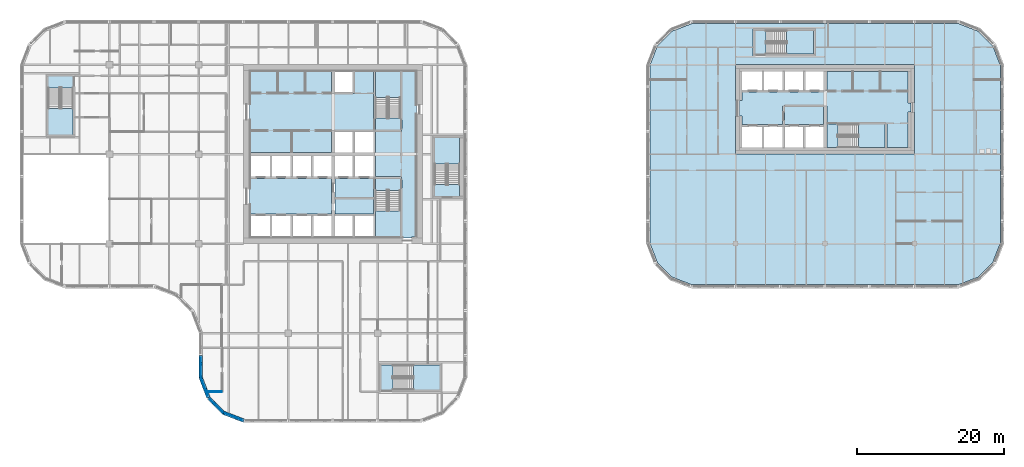
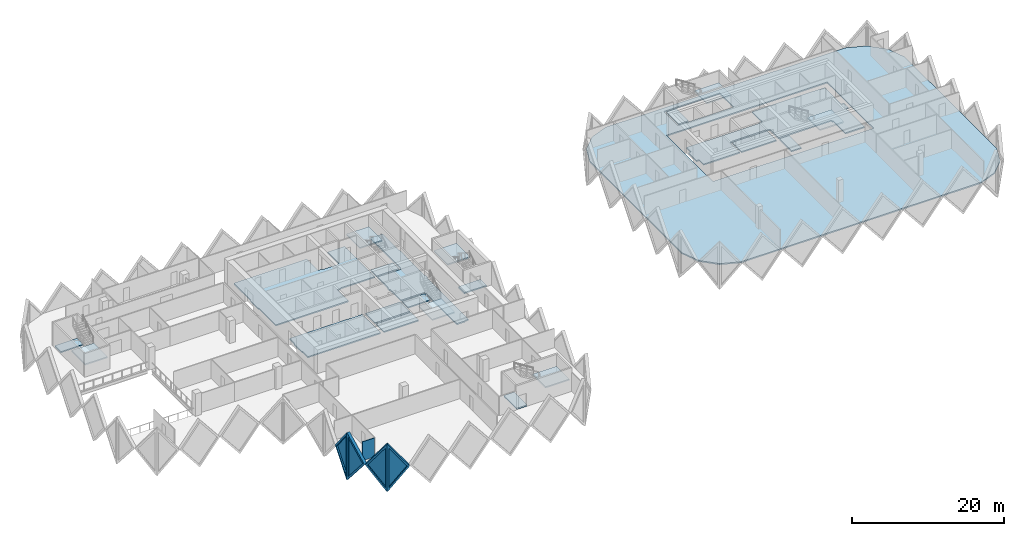
# One storey, part 3 of 19: 22 slabs, 5 walls, 4 plates, 4 openings, 7 elements without a shape of their own.
"""IFC4 building model written with IfcOpenShell, lengths in metres."""

from ifc_helpers import new_model, si_unit, direction, frame, frame_2d, origin, place, context, subcontext, project, spatial, polyline, rectangle, outline, extrude, faceted_brep, source, transform, mapped, material, layer, layer_set, type_object, element, fill, aggregate, save


model = new_model("IFC4")

# Units and contexts
model_context = context("Model", 3, precision=1e-05, world=origin(), true_north=direction((0.0, 1.0)))
body_context = subcontext(model_context, "Body", "Model", "MODEL_VIEW")
ifc_project = project(units=[si_unit("LENGTHUNIT", "METRE"), si_unit("AREAUNIT", "SQUARE_METRE"), si_unit("VOLUMEUNIT", "CUBIC_METRE"), si_unit("PLANEANGLEUNIT", "RADIAN"), si_unit("MASSUNIT", "GRAM", prefix="KILO")], contexts=[model_context])

# Site, building, storey
site_placement = place(None, origin())
site = spatial("IfcSite", under=ifc_project, at=site_placement, CompositionType="ELEMENT")
building_placement = place(site_placement, origin())
building = spatial("IfcBuilding", under=site, at=building_placement, Name="Tessera Gate Towers", CompositionType="ELEMENT")
storey_placement = place(building_placement, frame((0.0, 0.0, 80.0)))
storey = spatial("IfcBuildingStorey", under=building, at=storey_placement, Name="L19", CompositionType="ELEMENT", Elevation=80.0)

# Slabs
ifc_material_1 = material(Name="Concrete C35/45", Category="concrete")
ifc_layer_1 = layer(ifc_material_1, 0.199951171875)
ifc_layer_set_1 = layer_set([ifc_layer_1], Name="COMPOSITE FLOOR 200")
slab_type_1 = type_object("IfcSlabType", Name="COMPOSITE FLOOR 200", PredefinedType="FLOOR", material=ifc_layer_set_1)
slab_1_placement = place(storey_placement, frame((0.0, 0.0, -0.199951171875)))
element("IfcSlab", 1, at=slab_1_placement, inside=storey, type_object=slab_type_1, Name="T2-L19", PredefinedType="FLOOR", context=body_context, shape_type="SweptSolid", body=[
    extrude(outline(polyline([(85.89990234375, 24.4931640625), (86.926025390625, 21.8330078125), (88.93310546875, 19.826171875), (91.593017578125, 18.800048828125), (128.0068359375, 18.800048828125), (130.6669921875, 19.826171875), (132.673828125, 21.8330078125), (133.699951171875, 24.4931640625), (133.699951171875, 48.706787109375), (132.673828125, 51.366943359375), (130.6669921875, 53.373779296875), (128.0068359375, 54.39990234375), (91.593017578125, 54.39990234375), (88.93310546875, 53.373779296875), (86.926025390625, 51.366943359375), (85.89990234375, 48.706787109375), (85.89990234375, 24.4931640625)]), holes=[polyline([(97.60009765625, 36.60009765625), (97.60009765625, 48.800048828125), (122.0, 48.800048828125), (122.0, 36.60009765625), (97.60009765625, 36.60009765625)]), polyline([(100.0, 50.0), (100.0, 53.699951171875), (108.5, 53.699951171875), (108.5, 50.0), (100.0, 50.0)])]), origin(), (0.0, 0.0, 1.0), 0.199951171875),
])
ifc_material_2 = material(Name="Concrete C35/45", Category="concrete")
ifc_layer_2 = layer(ifc_material_2, 0.199951171875)
ifc_layer_set_2 = layer_set([ifc_layer_2], Name="CORE FLOOR SLAB 200")
slab_type_2 = type_object("IfcSlabType", Name="CORE FLOOR SLAB 200", PredefinedType="FLOOR", material=ifc_layer_set_2)
slab_2_placement = place(storey_placement, frame((0.0, 0.0, -0.199951171875)))
element("IfcSlab", 2, at=slab_2_placement, inside=storey, type_object=slab_type_2, Name="L19 core floor slab", PredefinedType="FLOOR", context=body_context, shape_type="SweptSolid", body=[
    extrude(outline(polyline([(31.39990234375, 47.89990234375), (31.39990234375, 43.39990234375), (31.300048828125, 43.39990234375), (31.300048828125, 41.300048828125), (31.39990234375, 41.300048828125), (31.39990234375, 36.85009765625), (42.449951171875, 36.85009765625), (42.449951171875, 39.800048828125), (42.949951171875, 39.800048828125), (42.949951171875, 39.925048828125), (48.22509765625, 39.925048828125), (48.22509765625, 47.89990234375), (45.64990234375, 47.89990234375), (45.64990234375, 44.89990234375), (45.39990234375, 44.89990234375), (45.39990234375, 44.77490234375), (42.949951171875, 44.77490234375), (42.949951171875, 44.89990234375), (42.449951171875, 44.89990234375), (42.449951171875, 47.89990234375), (31.39990234375, 47.89990234375)])), origin(), (0.0, 0.0, 1.0), 0.199951171875),
])
slab_3_placement = place(storey_placement, frame((0.0, 0.0, -0.199951171875)))
element("IfcSlab", 3, at=slab_3_placement, inside=storey, type_object=slab_type_2, Name="L19 core floor slab", PredefinedType="FLOOR", context=body_context, shape_type="SweptSolid", body=[
    extrude(outline(polyline([(52.199951171875, 25.199951171875), (53.39990234375, 25.199951171875), (53.39990234375, 25.300048828125), (54.0, 25.300048828125), (54.0, 36.320068359375), (54.10009765625, 36.320068359375), (54.10009765625, 36.8798828125), (54.0, 36.8798828125), (54.0, 42.10009765625), (54.10009765625, 42.10009765625), (54.10009765625, 43.300048828125), (54.0, 43.300048828125), (54.0, 47.89990234375), (52.125, 47.89990234375), (52.125, 39.925048828125), (52.0, 39.925048828125), (52.0, 39.675048828125), (48.47509765625, 39.675048828125), (48.47509765625, 36.85009765625), (48.35009765625, 36.85009765625), (48.35009765625, 36.35009765625), (48.47509765625, 36.35009765625), (48.47509765625, 33.52490234375), (52.0, 33.52490234375), (52.0, 33.27490234375), (52.125, 33.27490234375), (52.125, 25.300048828125), (52.199951171875, 25.300048828125), (52.199951171875, 25.199951171875)])), origin(), (0.0, 0.0, 1.0), 0.199951171875),
])
slab_4_placement = place(storey_placement, frame((0.0, 0.0, -0.199951171875)))
element("IfcSlab", 4, at=slab_4_placement, inside=storey, type_object=slab_type_2, Name="L19 core floor slab", PredefinedType="FLOOR", context=body_context, shape_type="SweptSolid", body=[
    extrude(outline(polyline([(31.39990234375, 29.800048828125), (31.39990234375, 28.425048828125), (42.449951171875, 28.425048828125), (42.449951171875, 33.27490234375), (31.39990234375, 33.27490234375), (31.39990234375, 31.89990234375), (31.300048828125, 31.89990234375), (31.300048828125, 29.800048828125), (31.39990234375, 29.800048828125)])), origin(), (0.0, 0.0, 1.0), 0.199951171875),
])
slab_5_placement = place(storey_placement, frame((0.0, 0.0, -0.199951171875)))
element("IfcSlab", 5, at=slab_5_placement, inside=storey, type_object=slab_type_2, Name="L19 core floor slab", PredefinedType="FLOOR", context=body_context, shape_type="SweptSolid", body=[
    extrude(outline(polyline([(42.949951171875, 33.27490234375), (42.949951171875, 30.72509765625), (48.22509765625, 30.72509765625), (48.22509765625, 33.27490234375), (42.949951171875, 33.27490234375)])), origin(), (0.0, 0.0, 1.0), 0.199951171875),
])
slab_6_placement = place(storey_placement, frame((0.0, 0.0, -0.199951171875)))
element("IfcSlab", 6, at=slab_6_placement, inside=storey, type_object=slab_type_2, Name="L19 core floor slab", PredefinedType="FLOOR", context=body_context, shape_type="SweptSolid", body=[
    extrude(outline(polyline([(42.949951171875, 30.47509765625), (42.949951171875, 28.425048828125), (48.22509765625, 28.425048828125), (48.22509765625, 30.47509765625), (42.949951171875, 30.47509765625)])), origin(), (0.0, 0.0, 1.0), 0.199951171875),
])
slab_7_placement = place(storey_placement, frame((0.0, 0.0, -0.199951171875)))
element("IfcSlab", 7, at=slab_7_placement, inside=storey, type_object=slab_type_2, Name="L19 core floor slab", PredefinedType="FLOOR", context=body_context, shape_type="SweptSolid", body=[
    extrude(outline(polyline([(51.875, 31.675048828125), (51.875, 33.27490234375), (48.47509765625, 33.27490234375), (48.47509765625, 31.675048828125), (51.875, 31.675048828125)])), origin(), (0.0, 0.0, 1.0), 0.199951171875),
])
slab_8_placement = place(storey_placement, frame((0.0, 0.0, -0.199951171875)))
element("IfcSlab", 8, at=slab_8_placement, inside=storey, type_object=slab_type_2, Name="L19 core floor slab", PredefinedType="FLOOR", context=body_context, shape_type="SweptSolid", body=[
    extrude(outline(polyline([(48.47509765625, 41.52490234375), (48.47509765625, 39.925048828125), (51.875, 39.925048828125), (51.875, 41.52490234375), (48.47509765625, 41.52490234375)])), origin(), (0.0, 0.0, 1.0), 0.199951171875),
])
slab_9_placement = place(storey_placement, frame((0.0, 0.0, -0.199951171875)))
element("IfcSlab", 9, at=slab_9_placement, inside=storey, type_object=slab_type_2, Name="L19 ST3 floor landing", PredefinedType="FLOOR", context=body_context, shape_type="SweptSolid", body=[
    extrude(outline(polyline([(3.85009765625, 47.25), (3.85009765625, 45.64990234375), (7.25, 45.64990234375), (7.25, 47.25), (3.85009765625, 47.25)])), origin(), (0.0, 0.0, 1.0), 0.199951171875),
])
slab_10_placement = place(storey_placement, frame((0.0, 0.0, -0.199951171875)))
element("IfcSlab", 10, at=slab_10_placement, inside=storey, type_object=slab_type_2, Name="L19 ST4 floor landing", PredefinedType="FLOOR", context=body_context, shape_type="SweptSolid", body=[
    extrude(outline(polyline([(49.25, 4.449951171875), (50.85009765625, 4.449951171875), (50.85009765625, 7.85009765625), (49.25, 7.85009765625), (49.25, 4.449951171875)])), origin(), (0.0, 0.0, 1.0), 0.199951171875),
])
slab_11_placement = place(storey_placement, frame((0.0, 0.0, -0.199951171875)))
element("IfcSlab", 11, at=slab_11_placement, inside=storey, type_object=slab_type_2, Name="L19 ST5 floor landing", PredefinedType="FLOOR", context=body_context, shape_type="SweptSolid", body=[
    extrude(outline(polyline([(59.949951171875, 30.85009765625), (59.949951171875, 32.449951171875), (56.550048828125, 32.449951171875), (56.550048828125, 30.85009765625), (59.949951171875, 30.85009765625)])), origin(), (0.0, 0.0, 1.0), 0.199951171875),
])
slab_12_placement = place(storey_placement, frame((0.0, 0.0, -0.199951171875)))
element("IfcSlab", 12, at=slab_12_placement, inside=storey, type_object=slab_type_2, Name="L19 core floor slab", PredefinedType="FLOOR", context=body_context, shape_type="SweptSolid", body=[
    extrude(outline(polyline([(109.550048828125, 45.199951171875), (109.550048828125, 45.074951171875), (98.5, 45.074951171875), (98.5, 43.89990234375), (98.10009765625, 43.89990234375), (98.10009765625, 41.800048828125), (98.5, 41.800048828125), (98.5, 40.625), (104.02490234375, 40.625), (104.02490234375, 43.199951171875), (104.27490234375, 43.199951171875), (104.27490234375, 43.324951171875), (109.550048828125, 43.324951171875), (109.550048828125, 43.199951171875), (110.050048828125, 43.199951171875), (110.050048828125, 40.949951171875), (118.10009765625, 40.949951171875), (118.10009765625, 40.699951171875), (118.22509765625, 40.699951171875), (118.22509765625, 37.5), (121.10009765625, 37.5), (121.10009765625, 42.35009765625), (121.5, 42.35009765625), (121.5, 43.550048828125), (121.10009765625, 43.550048828125), (121.10009765625, 47.89990234375), (110.050048828125, 47.89990234375), (110.050048828125, 45.199951171875), (109.550048828125, 45.199951171875)])), origin(), (0.0, 0.0, 1.0), 0.199951171875),
])
slab_13_placement = place(storey_placement, frame((0.0, 0.0, -0.199951171875)))
element("IfcSlab", 13, at=slab_13_placement, inside=storey, type_object=slab_type_2, Name="L19 core floor slab", PredefinedType="FLOOR", context=body_context, shape_type="SweptSolid", body=[
    extrude(outline(polyline([(109.550048828125, 43.074951171875), (104.27490234375, 43.074951171875), (104.27490234375, 40.625), (109.550048828125, 40.625), (109.550048828125, 43.074951171875)])), origin(), (0.0, 0.0, 1.0), 0.199951171875),
])
slab_14_placement = place(storey_placement, frame((0.0, 0.0, -0.199951171875)))
element("IfcSlab", 14, at=slab_14_placement, inside=storey, type_object=slab_type_2, Name="L19 core floor slab", PredefinedType="FLOOR", context=body_context, shape_type="SweptSolid", body=[
    extrude(outline(polyline([(111.550048828125, 37.5), (111.550048828125, 40.699951171875), (110.050048828125, 40.699951171875), (110.050048828125, 37.5), (111.550048828125, 37.5)])), origin(), (0.0, 0.0, 1.0), 0.199951171875),
])
slab_15_placement = place(storey_placement, frame((0.0, 0.0, -0.199951171875)))
element("IfcSlab", 15, at=slab_15_placement, inside=storey, type_object=slab_type_2, Name="L19 ST7 floor landing", PredefinedType="FLOOR", context=body_context, shape_type="SweptSolid", body=[
    extrude(outline(polyline([(100.25, 50.25), (101.75, 50.25), (101.75, 53.449951171875), (100.25, 53.449951171875), (100.25, 50.25)])), origin(), (0.0, 0.0, 1.0), 0.199951171875),
])

# Stair, slab
ifc_material_3 = material(Name="Concrete C40/50", Category="concrete")
stair_type_1 = type_object("IfcStairType", Name="EXIT STAIR ST1 1600", PredefinedType="HALF_TURN_STAIR", material=ifc_material_3)
stair_1_placement = place(storey_placement, origin())
stair_1 = element("IfcStair", 16, at=stair_1_placement, inside=storey, type_object=stair_type_1, Name="L19 Protected Exit Stair ST1", PredefinedType="HALF_TURN_STAIR")
ifc_material_4 = material(Name="Concrete C40/50", Category="concrete")
ifc_layer_3 = layer(ifc_material_4, 0.199951171875)
ifc_layer_set_3 = layer_set([ifc_layer_3], Name="EXIT STAIR LANDING 200")
slab_type_3 = type_object("IfcSlabType", Name="EXIT STAIR LANDING 200", PredefinedType="LANDING", material=ifc_layer_set_3)
slab_16_placement = place(storey_placement, frame((0.0, 0.0, 1.699951171875)))
slab_16 = element("IfcSlab", 17, at=slab_16_placement, type_object=slab_type_3, Name="ST1 landing 1", PredefinedType="LANDING", context=body_context, shape_type="SweptSolid", body=[
    extrude(outline(polyline([(48.47509765625, 28.875), (48.47509765625, 25.300048828125), (51.875, 25.300048828125), (51.875, 28.875), (48.47509765625, 28.875)])), origin(), (0.0, 0.0, 1.0), 0.199951171875),
])
aggregate(stair_1, [slab_16])

ifc_material_5 = material(Name="Concrete C40/50", Category="concrete")
stair_type_2 = type_object("IfcStairType", Name="EXIT STAIR ST2 1600", PredefinedType="HALF_TURN_STAIR", material=ifc_material_5)
stair_2_placement = place(storey_placement, origin())
stair_2 = element("IfcStair", 18, at=stair_2_placement, inside=storey, type_object=stair_type_2, Name="L19 Protected Exit Stair ST2", PredefinedType="HALF_TURN_STAIR")
slab_17_placement = place(storey_placement, frame((0.0, 0.0, 1.699951171875)))
slab_17 = element("IfcSlab", 19, at=slab_17_placement, type_object=slab_type_3, Name="ST2 landing 1", PredefinedType="LANDING", context=body_context, shape_type="SweptSolid", body=[
    extrude(outline(polyline([(51.875, 44.324951171875), (51.875, 47.89990234375), (48.47509765625, 47.89990234375), (48.47509765625, 44.324951171875), (51.875, 44.324951171875)])), origin(), (0.0, 0.0, 1.0), 0.199951171875),
])
aggregate(stair_2, [slab_17])

ifc_material_6 = material(Name="Concrete C40/50", Category="concrete")
stair_type_3 = type_object("IfcStairType", Name="EXIT STAIR ST3 1600", PredefinedType="HALF_TURN_STAIR", material=ifc_material_6)
stair_3_placement = place(storey_placement, origin())
stair_3 = element("IfcStair", 20, at=stair_3_placement, inside=storey, type_object=stair_type_3, Name="L19 West Exit Stair ST3", PredefinedType="HALF_TURN_STAIR")
slab_18_placement = place(storey_placement, frame((0.0, 0.0, 1.699951171875)))
slab_18 = element("IfcSlab", 21, at=slab_18_placement, type_object=slab_type_3, Name="ST3 landing 1", PredefinedType="LANDING", context=body_context, shape_type="SweptSolid", body=[
    extrude(outline(polyline([(3.85009765625, 42.85009765625), (3.85009765625, 39.25), (7.25, 39.25), (7.25, 42.85009765625), (3.85009765625, 42.85009765625)])), origin(), (0.0, 0.0, 1.0), 0.199951171875),
])
aggregate(stair_3, [slab_18])

ifc_material_7 = material(Name="Concrete C40/50", Category="concrete")
stair_type_4 = type_object("IfcStairType", Name="EXIT STAIR ST4 1600", PredefinedType="HALF_TURN_STAIR", material=ifc_material_7)
stair_4_placement = place(storey_placement, origin())
stair_4 = element("IfcStair", 22, at=stair_4_placement, inside=storey, type_object=stair_type_4, Name="L19 South Exit Stair ST4", PredefinedType="HALF_TURN_STAIR")
slab_19_placement = place(storey_placement, frame((0.0, 0.0, 1.699951171875)))
slab_19 = element("IfcSlab", 23, at=slab_19_placement, type_object=slab_type_3, Name="ST4 landing 1", PredefinedType="LANDING", context=body_context, shape_type="SweptSolid", body=[
    extrude(outline(polyline([(53.64990234375, 4.449951171875), (57.25, 4.449951171875), (57.25, 7.85009765625), (53.64990234375, 7.85009765625), (53.64990234375, 4.449951171875)])), origin(), (0.0, 0.0, 1.0), 0.199951171875),
])
aggregate(stair_4, [slab_19])

ifc_material_8 = material(Name="Concrete C40/50", Category="concrete")
stair_type_5 = type_object("IfcStairType", Name="EXIT STAIR ST5 1600", PredefinedType="HALF_TURN_STAIR", material=ifc_material_8)
stair_5_placement = place(storey_placement, origin())
stair_5 = element("IfcStair", 24, at=stair_5_placement, inside=storey, type_object=stair_type_5, Name="L19 East Exit Stair ST5", PredefinedType="HALF_TURN_STAIR")
slab_20_placement = place(storey_placement, frame((0.0, 0.0, 1.699951171875)))
slab_20 = element("IfcSlab", 25, at=slab_20_placement, type_object=slab_type_3, Name="ST5 landing 1", PredefinedType="LANDING", context=body_context, shape_type="SweptSolid", body=[
    extrude(outline(polyline([(59.949951171875, 35.25), (59.949951171875, 38.85009765625), (56.550048828125, 38.85009765625), (56.550048828125, 35.25), (59.949951171875, 35.25)])), origin(), (0.0, 0.0, 1.0), 0.199951171875),
])
aggregate(stair_5, [slab_20])

ifc_material_9 = material(Name="Concrete C40/50", Category="concrete")
stair_type_6 = type_object("IfcStairType", Name="EXIT STAIR ST6 1500", PredefinedType="HALF_TURN_STAIR", material=ifc_material_9)
stair_6_placement = place(storey_placement, origin())
stair_6 = element("IfcStair", 26, at=stair_6_placement, inside=storey, type_object=stair_type_6, Name="L19 Protected Exit Stair ST6", PredefinedType="HALF_TURN_STAIR")
slab_21_placement = place(storey_placement, frame((0.0, 0.0, 1.699951171875)))
slab_21 = element("IfcSlab", 27, at=slab_21_placement, type_object=slab_type_3, Name="ST6 landing 1", PredefinedType="LANDING", context=body_context, shape_type="SweptSolid", body=[
    extrude(outline(polyline([(114.35009765625, 37.5), (117.97509765625, 37.5), (117.97509765625, 40.699951171875), (114.35009765625, 40.699951171875), (114.35009765625, 37.5)])), origin(), (0.0, 0.0, 1.0), 0.199951171875),
])
aggregate(stair_6, [slab_21])

ifc_material_10 = material(Name="Concrete C40/50", Category="concrete")
stair_type_7 = type_object("IfcStairType", Name="EXIT STAIR ST7 1500", PredefinedType="HALF_TURN_STAIR", material=ifc_material_10)
stair_7_placement = place(storey_placement, origin())
stair_7 = element("IfcStair", 28, at=stair_7_placement, inside=storey, type_object=stair_type_7, Name="L19 North Exit Stair ST7", PredefinedType="HALF_TURN_STAIR")
slab_22_placement = place(storey_placement, frame((0.0, 0.0, 1.699951171875)))
slab_22 = element("IfcSlab", 29, at=slab_22_placement, type_object=slab_type_3, Name="ST7 landing 1", PredefinedType="LANDING", context=body_context, shape_type="SweptSolid", body=[
    extrude(outline(polyline([(104.550048828125, 50.25), (108.25, 50.25), (108.25, 53.449951171875), (104.550048828125, 53.449951171875), (104.550048828125, 50.25)])), origin(), (0.0, 0.0, 1.0), 0.199951171875),
])
aggregate(stair_7, [slab_22])

# Wall
ifc_material_11 = material(Name="Glass", Category="glass")
ifc_layer_4 = layer(ifc_material_11, 0.10009765625)
ifc_layer_set_4 = layer_set([ifc_layer_4], Name="GLAZED PARTITION 100")
wall_type_1 = type_object("IfcWallType", Name="GLAZED PARTITION 100", PredefinedType="PARTITIONING", material=ifc_layer_set_4)
wall_1_placement = place(storey_placement, frame((25.668701171875, 4.199951171875, 0.0), z_axis=(0.0, 0.0, 1.0), x_axis=(1.0, 0.0, 0.0)))
element("IfcWall", 30, at=wall_1_placement, inside=storey, type_object=wall_type_1, Name="T1-L19-PW-003", PredefinedType="PARTITIONING", context=body_context, shape_type="SweptSolid", body=[
    extrude(rectangle(XDim=1.855224609375, YDim=0.10009765625, at=frame_2d((0.927734375, 0.0))), origin(), (0.0, 0.0, 1.0), 3.06689453125),
])

# Wall, opening, plate
ifc_material_12 = material(Name="Precast concrete C60/75 white", Category="concrete")
ifc_layer_5 = layer(ifc_material_12, 0.5)
ifc_layer_set_5 = layer_set([ifc_layer_5], Name="TS3 corner tessera")
wall_type_2 = type_object("IfcWallType", Name="TS3 corner tessera", PredefinedType="SOLIDWALL", material=ifc_layer_set_5)
shared_shape_1 = source(origin(), body_context, "Body", "Brep", [
    faceted_brep([(3.00341796875, -0.25, 0.0), (3.050048828125, -0.25, 0.06005859375), (3.050048828125, -0.25, 7.5400390625), (3.00341796875, -0.25, 7.60009765625), (0.0, -0.25, 3.800048828125), (0.0, 0.25, 3.800048828125), (2.956787109375, 0.25, 7.541259765625), (2.956787109375, 0.25, 0.058837890625), (3.00341796875, 0.000244140625, 0.0), (3.00341796875, 0.000244140625, 7.60009765625)], [[[0, 1, 2, 3, 4]], [[5, 6, 7]], [[1, 0, 8]], [[9, 3, 2]], [[6, 5, 4, 3, 9]], [[5, 7, 8, 0, 4]], [[1, 8, 7, 6, 9, 2]]]),
])
wall_2_placement = place(storey_placement, frame((24.64990234375, 9.14990234375, -3.800048828125), z_axis=(0.0, 0.0, 1.0), x_axis=(0.0, -1.0, 0.0)))
wall_2 = element("IfcWall", 31, at=wall_2_placement, inside=storey, type_object=wall_type_2, Name="Precast corner tessera T1 TS3-0429", PredefinedType="SOLIDWALL", context=body_context, shape_type="MappedRepresentation", body=[
    mapped(shared_shape_1, transform((0.0, 0.0, 0.0), scale=1.0)),
])
shared_shape_2 = source(origin(), body_context, "Body", "SweptSolid", [
    extrude(outline(polyline([(2.803466796875, 6.94384765625), (0.318603515625, 3.800048828125), (2.803466796875, 0.65625), (2.803466796875, 6.94384765625)])), frame((0.0, 0.260009765625, 0.0), z_axis=(0.0, -1.0, 0.0), x_axis=(1.0, 0.0, 0.0)), (0.0, 0.0, 1.0), 0.52001953125),
])
opening_1_placement = place(wall_2_placement, origin())
opening_1 = element("IfcOpeningElement", 32, at=opening_1_placement, cuts=wall_2, Name="Opening T1-PL2-0607", PredefinedType="OPENING", context=body_context, shape_type="MappedRepresentation", body=[
    mapped(shared_shape_2, transform((0.0, 0.0, 0.0), scale=1.0)),
])
ifc_material_13 = material(Name="Low-e laminated glass", Category="glass")
ifc_layer_6 = layer(ifc_material_13, 0.06005859375)
ifc_layer_set_6 = layer_set([ifc_layer_6], Name="PL2 rhombic pane")
plate_type = type_object("IfcPlateType", Name="PL2 rhombic pane", PredefinedType="SHEET", material=ifc_layer_set_6)
shared_shape_3 = source(origin(), body_context, "Body", "SweptSolid", [
    extrude(outline(polyline([(2.803466796875, 6.94384765625), (0.318603515625, 3.800048828125), (2.803466796875, 0.65625), (2.803466796875, 6.94384765625)])), frame((0.0, 0.030029296875, 0.0), z_axis=(0.0, -1.0, 0.0), x_axis=(1.0, 0.0, 0.0)), (0.0, 0.0, 1.0), 0.06005859375),
])
plate_1_placement = place(opening_1_placement, origin())
plate_1 = element("IfcPlate", 33, at=plate_1_placement, inside=storey, type_object=plate_type, Name="Glass pane T1 PL2-0607", PredefinedType="SHEET", context=body_context, shape_type="MappedRepresentation", body=[
    mapped(shared_shape_3, transform((0.0, 0.0, 0.0), scale=1.0)),
])
fill(opening_1, plate_1)

shared_shape_4 = source(origin(), body_context, "Body", "Brep", [
    faceted_brep([(0.046630859375, -0.25, 0.0), (2.9970703125, -0.25, 3.800048828125), (0.046630859375, -0.25, 7.60009765625), (0.0, -0.25, 7.541259765625), (0.0, -0.25, 0.058837890625), (0.09326171875, 0.25, 7.5400390625), (2.9443359375, 0.25, 3.8681640625), (2.9443359375, 0.25, 3.73193359375), (0.09326171875, 0.25, 0.06005859375), (2.9970703125, 0.00048828125, 3.800048828125), (0.046630859375, 0.0, 0.0), (0.046630859375, 0.0, 7.60009765625)], [[[0, 1, 2, 3, 4]], [[5, 6, 7, 8]], [[8, 7, 9, 1, 0, 10]], [[6, 5, 11, 2, 1, 9]], [[3, 2, 11]], [[10, 0, 4]], [[8, 10, 4, 3, 11, 5]], [[9, 7, 6]]]),
])
wall_3_placement = place(storey_placement, frame((24.63330078125, 6.18994140625, -3.800048828125), z_axis=(0.0, 0.0, 1.0), x_axis=(0.359901446078, -0.932990326376, 0.0)))
wall_3 = element("IfcWall", 34, at=wall_3_placement, inside=storey, type_object=wall_type_2, Name="Precast corner tessera T1 TS3-0430", PredefinedType="SOLIDWALL", context=body_context, shape_type="MappedRepresentation", body=[
    mapped(shared_shape_4, transform((0.0, 0.0, 0.0), scale=1.0)),
])
shared_shape_5 = source(origin(), body_context, "Body", "SweptSolid", [
    extrude(outline(polyline([(0.24658203125, 0.665283203125), (2.6806640625, 3.800048828125), (0.24658203125, 6.934814453125), (0.24658203125, 0.665283203125)])), frame((0.0, 0.260009765625, 0.0), z_axis=(0.0, -1.0, 0.0), x_axis=(1.0, 0.0, 0.0)), (0.0, 0.0, 1.0), 0.52001953125),
])
opening_2_placement = place(wall_3_placement, origin())
opening_2 = element("IfcOpeningElement", 35, at=opening_2_placement, cuts=wall_3, Name="Opening T1-PL2-0608", PredefinedType="OPENING", context=body_context, shape_type="MappedRepresentation", body=[
    mapped(shared_shape_5, transform((0.0, 0.0, 0.0), scale=1.0)),
])
shared_shape_6 = source(origin(), body_context, "Body", "SweptSolid", [
    extrude(outline(polyline([(0.24658203125, 0.665283203125), (2.6806640625, 3.800048828125), (0.24658203125, 6.934814453125), (0.24658203125, 0.665283203125)])), frame((0.0, 0.030029296875, 0.0), z_axis=(0.0, -1.0, 0.0), x_axis=(1.0, 0.0, 0.0)), (0.0, 0.0, 1.0), 0.06005859375),
])
plate_2_placement = place(opening_2_placement, origin())
plate_2 = element("IfcPlate", 36, at=plate_2_placement, inside=storey, type_object=plate_type, Name="Glass pane T1 PL2-0608", PredefinedType="SHEET", context=body_context, shape_type="MappedRepresentation", body=[
    mapped(shared_shape_6, transform((0.0, 0.0, 0.0), scale=1.0)),
])
fill(opening_2, plate_2)

shared_shape_7 = source(origin(), body_context, "Body", "Brep", [
    faceted_brep([(0.052978515625, -0.25, 0.0), (3.00341796875, -0.25, 3.800048828125), (0.052978515625, -0.25, 7.60009765625), (0.0, -0.25, 7.53173828125), (0.0, -0.25, 0.068359375), (0.10595703125, 0.25, 7.531982421875), (2.95703125, 0.25, 3.85986328125), (2.95703125, 0.25, 3.740234375), (0.10595703125, 0.25, 0.068115234375), (3.00341796875, 0.00048828125, 3.800048828125), (0.052978515625, 0.0, 0.0), (0.052978515625, 0.0, 7.60009765625)], [[[0, 1, 2, 3, 4]], [[5, 6, 7, 8]], [[8, 7, 9, 1, 0, 10]], [[6, 5, 11, 2, 1, 9]], [[3, 2, 11]], [[10, 0, 4]], [[8, 10, 4, 3, 11, 5]], [[9, 7, 6]]]),
])
wall_4_placement = place(storey_placement, frame((27.744384765625, 1.3310546875, -3.800048828125), z_axis=(0.0, 0.0, 1.0), x_axis=(0.932970071518, -0.359953949349, 0.0)))
wall_4 = element("IfcWall", 37, at=wall_4_placement, inside=storey, type_object=wall_type_2, Name="Precast corner tessera T1 TS3-0432", PredefinedType="SOLIDWALL", context=body_context, shape_type="MappedRepresentation", body=[
    mapped(shared_shape_7, transform((0.0, 0.0, 0.0), scale=1.0)),
])
shared_shape_8 = source(origin(), body_context, "Body", "SweptSolid", [
    extrude(outline(polyline([(0.2529296875, 0.665283203125), (2.68701171875, 3.800048828125), (0.2529296875, 6.934814453125), (0.2529296875, 0.665283203125)])), frame((0.0, 0.260009765625, 0.0), z_axis=(0.0, -1.0, 0.0), x_axis=(1.0, 0.0, 0.0)), (0.0, 0.0, 1.0), 0.52001953125),
])
opening_3_placement = place(wall_4_placement, origin())
opening_3 = element("IfcOpeningElement", 38, at=opening_3_placement, cuts=wall_4, Name="Opening T1-PL2-0610", PredefinedType="OPENING", context=body_context, shape_type="MappedRepresentation", body=[
    mapped(shared_shape_8, transform((0.0, 0.0, 0.0), scale=1.0)),
])
shared_shape_9 = source(origin(), body_context, "Body", "SweptSolid", [
    extrude(outline(polyline([(0.2529296875, 0.665283203125), (2.68701171875, 3.800048828125), (0.2529296875, 6.934814453125), (0.2529296875, 0.665283203125)])), frame((0.0, 0.030029296875, 0.0), z_axis=(0.0, -1.0, 0.0), x_axis=(1.0, 0.0, 0.0)), (0.0, 0.0, 1.0), 0.06005859375),
])
plate_3_placement = place(opening_3_placement, origin())
plate_3 = element("IfcPlate", 39, at=plate_3_placement, inside=storey, type_object=plate_type, Name="Glass pane T1 PL2-0610", PredefinedType="SHEET", context=body_context, shape_type="MappedRepresentation", body=[
    mapped(shared_shape_9, transform((0.0, 0.0, 0.0), scale=1.0)),
])
fill(opening_3, plate_3)

shared_shape_10 = source(origin(), body_context, "Body", "Brep", [
    faceted_brep([(2.944091796875, -0.25, 0.0), (2.9970703125, -0.25, 0.068115234375), (2.9970703125, -0.25, 7.531982421875), (2.944091796875, -0.25, 7.60009765625), (0.0, -0.25, 3.800048828125), (0.052978515625, 0.25, 3.868408203125), (2.89111328125, 0.25, 7.531982421875), (2.89111328125, 0.25, 0.068115234375), (0.052978515625, 0.25, 3.731689453125), (2.944091796875, 0.000244140625, 0.0), (2.944091796875, 0.000244140625, 7.60009765625), (0.0, 0.0, 3.800048828125)], [[[0, 1, 2, 3, 4]], [[5, 6, 7, 8]], [[1, 0, 9]], [[10, 3, 2]], [[6, 5, 11, 4, 3, 10]], [[8, 7, 9, 0, 4, 11]], [[8, 11, 5]], [[1, 9, 7, 6, 10, 2]]]),
])
wall_5_placement = place(storey_placement, frame((25.7119140625, 3.393798828125, -3.800048828125), z_axis=(0.0, 0.0, 1.0), x_axis=(0.707066050402, -0.707147509625, 0.0)))
wall_5 = element("IfcWall", 40, at=wall_5_placement, inside=storey, type_object=wall_type_2, Name="Precast corner tessera T1 TS3-0431", PredefinedType="SOLIDWALL", context=body_context, shape_type="MappedRepresentation", body=[
    mapped(shared_shape_10, transform((0.0, 0.0, 0.0), scale=1.0)),
])
shared_shape_11 = source(origin(), body_context, "Body", "SweptSolid", [
    extrude(outline(polyline([(2.744140625, 6.933837890625), (0.316162109375, 3.800048828125), (2.744140625, 0.666259765625), (2.744140625, 6.933837890625)])), frame((0.0, 0.260009765625, 0.0), z_axis=(0.0, -1.0, 0.0), x_axis=(1.0, 0.0, 0.0)), (0.0, 0.0, 1.0), 0.52001953125),
])
opening_4_placement = place(wall_5_placement, origin())
opening_4 = element("IfcOpeningElement", 41, at=opening_4_placement, cuts=wall_5, Name="Opening T1-PL2-0609", PredefinedType="OPENING", context=body_context, shape_type="MappedRepresentation", body=[
    mapped(shared_shape_11, transform((0.0, 0.0, 0.0), scale=1.0)),
])
shared_shape_12 = source(origin(), body_context, "Body", "SweptSolid", [
    extrude(outline(polyline([(2.744140625, 6.933837890625), (0.316162109375, 3.800048828125), (2.744140625, 0.666259765625), (2.744140625, 6.933837890625)])), frame((0.0, 0.030029296875, 0.0), z_axis=(0.0, -1.0, 0.0), x_axis=(1.0, 0.0, 0.0)), (0.0, 0.0, 1.0), 0.06005859375),
])
plate_4_placement = place(opening_4_placement, origin())
plate_4 = element("IfcPlate", 42, at=plate_4_placement, inside=storey, type_object=plate_type, Name="Glass pane T1 PL2-0609", PredefinedType="SHEET", context=body_context, shape_type="MappedRepresentation", body=[
    mapped(shared_shape_12, transform((0.0, 0.0, 0.0), scale=1.0)),
])
fill(opening_4, plate_4)

save(model, "model.ifc")
